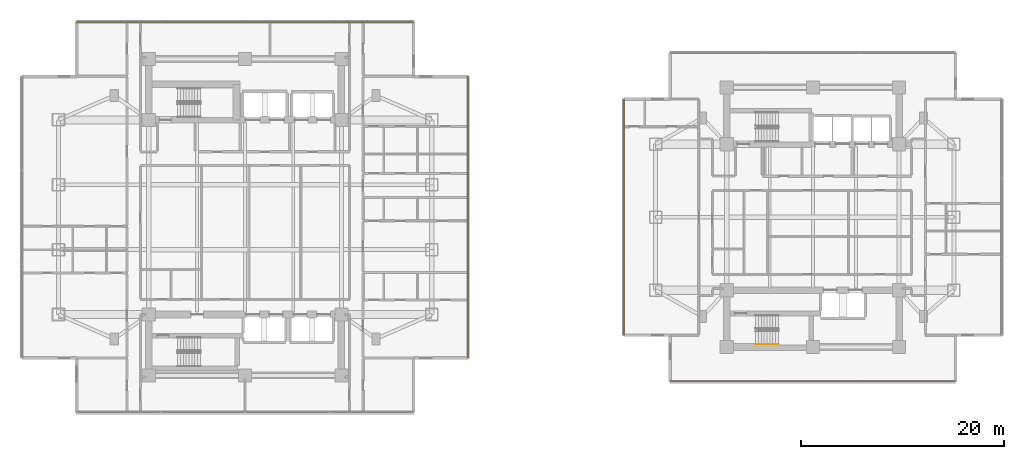
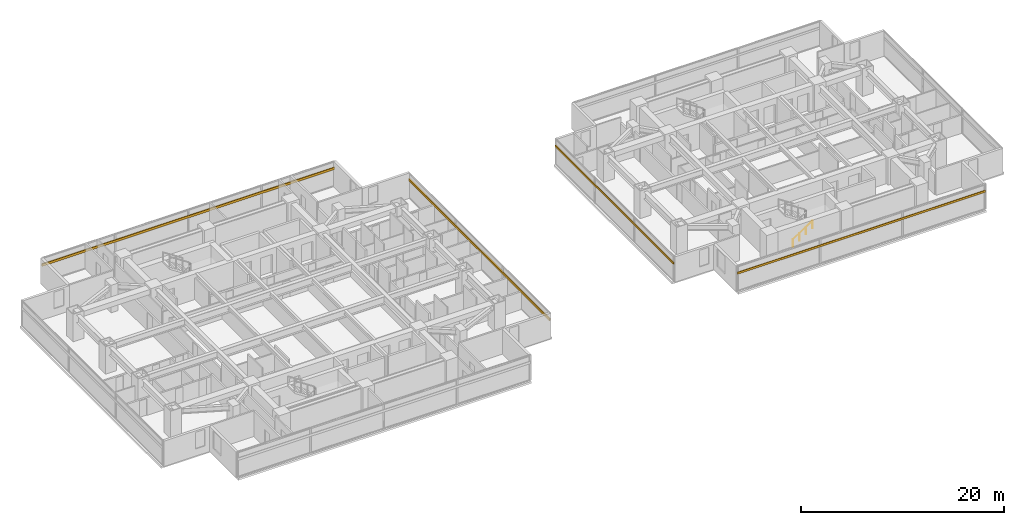
# One storey, part 22 of 24: 4 shading devices, 1 railing.
"""IFC4 building model written with IfcOpenShell, lengths in metres."""

from ifc_helpers import new_model, si_unit, direction, frame, origin, origin_2d, place, context, subcontext, project, spatial, rectangle, circle, extrude, material, material_profile, profile_set, type_object, element, save


model = new_model("IFC4")

# Units and contexts
model_context = context("Model", 3, precision=1e-05, world=origin(), true_north=direction((0.0, 1.0)))
body_context = subcontext(model_context, "Body", "Model", "MODEL_VIEW")
ifc_project = project(units=[si_unit("LENGTHUNIT", "METRE"), si_unit("AREAUNIT", "SQUARE_METRE"), si_unit("VOLUMEUNIT", "CUBIC_METRE"), si_unit("PLANEANGLEUNIT", "RADIAN"), si_unit("MASSUNIT", "GRAM", prefix="KILO")], contexts=[model_context])

# Site, building, storey
site_placement = place(None, origin())
site = spatial("IfcSite", under=ifc_project, at=site_placement, CompositionType="ELEMENT")
building_placement = place(site_placement, origin())
building = spatial("IfcBuilding", under=site, at=building_placement, Name="Mirazonda Arch Towers", CompositionType="ELEMENT")
storey_placement = place(building_placement, frame((0.0, 0.0, 68.60009765625)))
storey = spatial("IfcBuildingStorey", under=building, at=storey_placement, Name="L19", CompositionType="ELEMENT", Elevation=68.60009765625)

# Shading devices
ifc_material_1 = material(Name="Kiln-Fired Architectural Terracotta", Category="masonry")
ifc_material_profile_1 = material_profile(ifc_material_1, rectangle(XDim=0.1201171875, YDim=0.239990234375, at=origin_2d()), Name="TERRA-BAG-120x240")
ifc_profile_set_1 = profile_set([ifc_material_profile_1], Name="Kiln-Fired Architectural Terracotta")
shading_device_type_1 = type_object("IfcShadingDeviceType", Name="BAGUETTE-1", PredefinedType="USERDEFINED", material=ifc_profile_set_1)
shading_device_1_placement = place(storey_placement, frame((90.583984375, 11.8076171875, 2.188720703125), z_axis=(-1.0, 0.0, 0.0), x_axis=(0.0, -1.0, 0.0)))
element("IfcShadingDevice", 1, at=shading_device_1_placement, inside=storey, type_object=shading_device_type_1, Name="L19 Glazed Terracotta Sun-Screen Baguette CW-L19-T2-S", ObjectType="BAGUETTE", PredefinedType="USERDEFINED", context=body_context, shape_type="SweptSolid", body=[
    extrude(rectangle(XDim=0.1201171875, YDim=0.239990234375, at=origin_2d()), origin(), (0.0, 0.0, 1.0), 28.16796875),
])
shading_device_2_placement = place(storey_placement, frame((57.8701171875, 39.646484375, 2.188720703125), z_axis=(0.0, -1.0, 0.0), x_axis=(1.0, 0.0, 0.0)))
element("IfcShadingDevice", 2, at=shading_device_2_placement, inside=storey, type_object=shading_device_type_1, Name="L19 Glazed Terracotta Sun-Screen Baguette CW-L19-T2-W", ObjectType="BAGUETTE", PredefinedType="USERDEFINED", context=body_context, shape_type="SweptSolid", body=[
    extrude(rectangle(XDim=0.1201171875, YDim=0.239990234375, at=origin_2d()), origin(), (0.0, 0.0, 1.0), 23.29296875),
])
ifc_material_profile_2 = material_profile(ifc_material_1, rectangle(XDim=0.139892578125, YDim=0.280029296875, at=origin_2d()), Name="TERRA-BAG-140x280")
ifc_profile_set_2 = profile_set([ifc_material_profile_2], Name="Kiln-Fired Architectural Terracotta")
shading_device_type_2 = type_object("IfcShadingDeviceType", Name="BAGUETTE-3", PredefinedType="USERDEFINED", material=ifc_profile_set_2)
shading_device_3_placement = place(storey_placement, frame((42.47998046875, 14.110107421875, 2.188720703125), z_axis=(0.0, 1.0, 0.0), x_axis=(-1.0, 0.0, 0.0)))
element("IfcShadingDevice", 3, at=shading_device_3_placement, inside=storey, type_object=shading_device_type_2, Name="L19 Glazed Terracotta Sun-Screen Baguette CW-L19-T1-E", ObjectType="BAGUETTE", PredefinedType="USERDEFINED", context=body_context, shape_type="SweptSolid", body=[
    extrude(rectangle(XDim=0.139892578125, YDim=0.280029296875, at=origin_2d()), origin(), (0.0, 0.0, 1.0), 27.77978515625),
])
shading_device_4_placement = place(storey_placement, frame((3.860107421875, 47.22998046875, 2.188720703125), z_axis=(1.0, 0.0, 0.0), x_axis=(0.0, 1.0, 0.0)))
element("IfcShadingDevice", 4, at=shading_device_4_placement, inside=storey, type_object=shading_device_type_2, Name="L19 Glazed Terracotta Sun-Screen Baguette CW-L19-T1-N", ObjectType="BAGUETTE", PredefinedType="USERDEFINED", context=body_context, shape_type="SweptSolid", body=[
    extrude(rectangle(XDim=0.139892578125, YDim=0.280029296875, at=origin_2d()), origin(), (0.0, 0.0, 1.0), 33.27978515625),
])

# Railing
ifc_material_2 = material(Name="Architectural Brushed Steel S355", Category="steel")
railing_type = type_object("IfcRailingType", Name="HANDRAIL-915", PredefinedType="HANDRAIL", material=ifc_material_2)
railing_placement = place(storey_placement, frame((70.85009765625, 15.469970703125, 0.183349609375)))
element("IfcRailing", 5, at=railing_placement, inside=storey, type_object=railing_type, Name="L19 ST-T2S stair handrail 1", PredefinedType="HANDRAIL", context=body_context, shape_type="SweptSolid", body=[
    extrude(circle(Radius=0.02392578125, at=origin_2d()), frame((0.0, 0.0, 0.8759765625), z_axis=(0.836636935527, 0.0, 0.547757827979), x_axis=(0.0, 1.0, 0.0)), (0.0, 0.0, 1.0), 2.677490234375),
    extrude(circle(Radius=0.02099609375, at=origin_2d()), origin(), (0.0, 0.0, 1.0), 0.851806640625),
    extrude(circle(Radius=0.02099609375, at=origin_2d()), frame((0.74658203125, 0.0, 0.48876953125)), (0.0, 0.0, 1.0), 0.851806640625),
    extrude(circle(Radius=0.02099609375, at=origin_2d()), frame((1.493408203125, 0.0, 0.977783203125)), (0.0, 0.0, 1.0), 0.851806640625),
    extrude(circle(Radius=0.02099609375, at=origin_2d()), frame((2.239990234375, 0.0, 1.466552734375)), (0.0, 0.0, 1.0), 0.851806640625),
])

save(model, "model.ifc")
